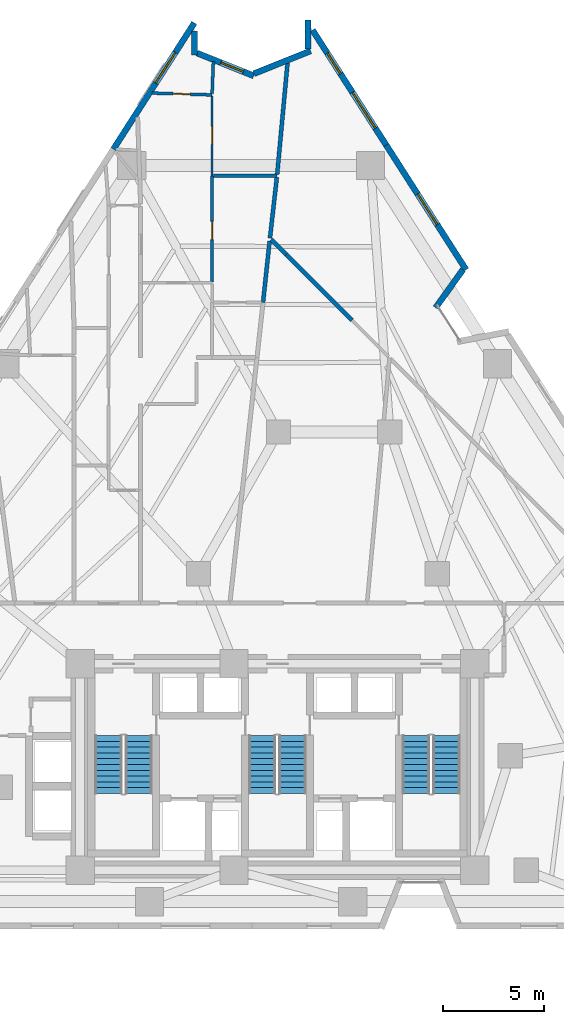
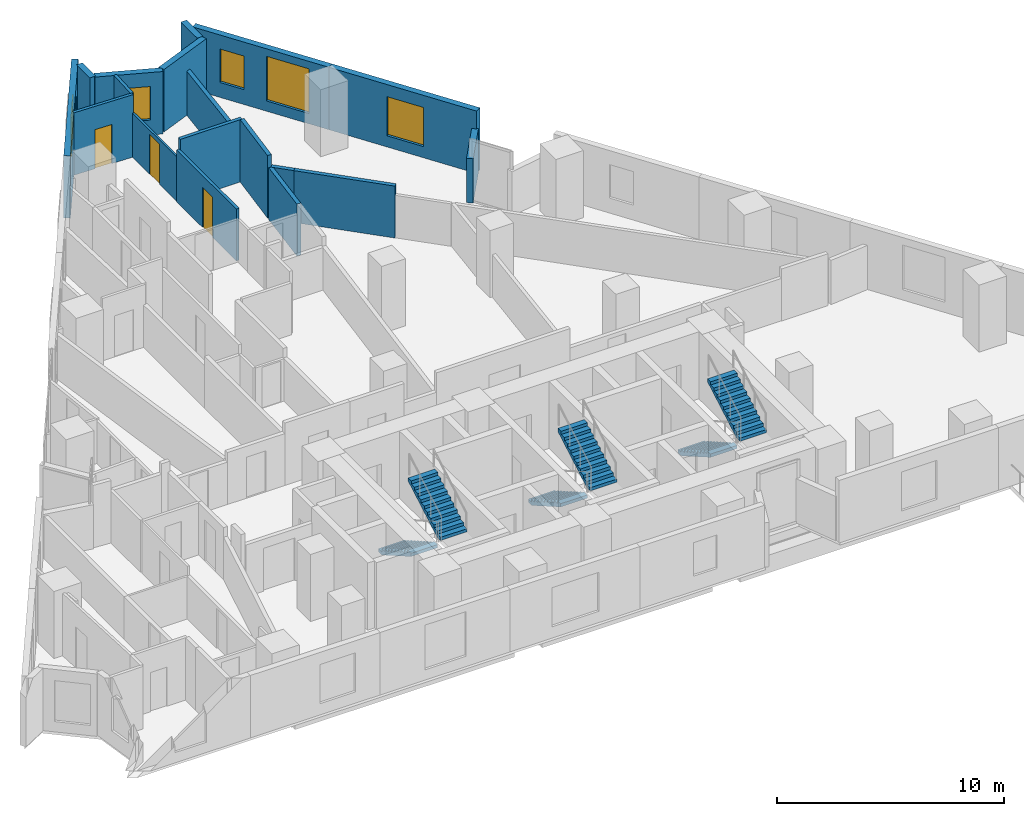
# One storey, part 10 of 13: 18 walls, 6 stair flights, 5 windows, 3 doors, 8 openings, 3 elements without a shape of their own.
"""IFC4 building model written with IfcOpenShell, lengths in metres."""

from ifc_helpers import new_model, si_unit, direction, frame, frame_2d, origin, place, context, subcontext, project, spatial, polyline, rectangle, outline, extrude, material, layer, layer_set, type_object, element, fill, aggregate, save


model = new_model("IFC4")

# Units and contexts
model_context = context("Model", 3, precision=1e-05, world=origin(), true_north=direction((0.0, 1.0)))
body_context = subcontext(model_context, "Body", "Model", "MODEL_VIEW")
ifc_project = project(units=[si_unit("LENGTHUNIT", "METRE"), si_unit("AREAUNIT", "SQUARE_METRE"), si_unit("VOLUMEUNIT", "CUBIC_METRE"), si_unit("PLANEANGLEUNIT", "RADIAN"), si_unit("MASSUNIT", "GRAM", prefix="KILO")], contexts=[model_context])

# Site, building, storey
site_placement = place(None, origin())
site = spatial("IfcSite", under=ifc_project, at=site_placement, CompositionType="ELEMENT")
building_placement = place(site_placement, origin())
building = spatial("IfcBuilding", under=site, at=building_placement, Name="Almagre Mirador Tower", CompositionType="ELEMENT")
storey_placement = place(building_placement, frame((0.0, 0.0, 42.60009765625)))
storey = spatial("IfcBuildingStorey", under=building, at=storey_placement, Name="L09", CompositionType="ELEMENT", Elevation=42.60009765625)

# Wall, opening, window
ifc_material_1 = material(Name="Precast concrete C50/60", Category="concrete")
ifc_layer_1 = layer(ifc_material_1, 0.300048828125)
ifc_layer_set_1 = layer_set([ifc_layer_1], Name="Precast concrete C50/60")
wall_type_1 = type_object("IfcWallType", Name="WAL-EXT-300", PredefinedType="SOLIDWALL", material=ifc_layer_set_1)
wall_1_placement = place(storey_placement, frame((29.1953125, 40.181640625, 0.0), z_axis=(0.0, 0.0, 1.0), x_axis=(0.539520042018, 0.841972757434, 0.0)))
wall_1 = element("IfcWall", 1, at=wall_1_placement, inside=storey, type_object=wall_type_1, Name="L09 expressed almagre precast frame wall 05", PredefinedType="SOLIDWALL", context=body_context, shape_type="SweptSolid", body=[
    extrude(rectangle(XDim=7.41162109375, YDim=0.300048828125, at=frame_2d((3.705810546875, 0.0))), origin(), (0.0, 0.0, 1.0), 3.349853515625),
])
opening_1_placement = place(wall_1_placement, frame((3.875, 0.0, 0.60009765625)))
opening_1 = element("IfcOpeningElement", 2, at=opening_1_placement, cuts=wall_1, Name="Opening WN-01", PredefinedType="OPENING", context=body_context, shape_type="SweptSolid", body=[
    extrude(rectangle(XDim=1.800048828125, YDim=2.10009765625, at=frame_2d((0.89990234375, 1.050048828125))), frame((0.0, 0.159902, 0.0), z_axis=(0.0, -1.0, 0.0), x_axis=(1.0, 0.0, 0.0)), (0.0, 0.0, 1.0), 0.320049),
])
ifc_material_2 = material(Name="Dark solar-control laminated hurricane glass", Category="glass")
window_type_1 = type_object("IfcWindowType", Name="WIN-1800X2100", PartitioningType="DOUBLE_PANEL_VERTICAL", PredefinedType="WINDOW", material=ifc_material_2)
window_1_placement = place(opening_1_placement, origin())
window_1 = element("IfcWindow", 3, at=window_1_placement, inside=storey, type_object=window_type_1, Name="L09 recessed hurricane window L09-UP-HB", OverallHeight=2.10009765625, OverallWidth=1.800048828125, PartitioningType="SINGLE_PANEL", PredefinedType="WINDOW", context=body_context, shape_type="SweptSolid", body=[
    extrude(rectangle(XDim=1.800048828125, YDim=2.10009765625, at=frame_2d((0.89990234375, 1.050048828125))), frame((0.0, 0.030029296875, 0.0), z_axis=(0.0, -1.0, 0.0), x_axis=(1.0, 0.0, 0.0)), (0.0, 0.0, 1.0), 0.06005859375),
])
fill(opening_1, window_1)

# Wall
wall_2_placement = place(storey_placement, frame((33.194091796875, 46.011962890625, 0.0), z_axis=(0.0, 0.0, 1.0), x_axis=(0.0, -1.0, 0.0)))
element("IfcWall", 4, at=wall_2_placement, inside=storey, type_object=wall_type_1, Name="L09 expressed almagre precast frame wall 06", PredefinedType="SOLIDWALL", context=body_context, shape_type="SweptSolid", body=[
    extrude(rectangle(XDim=1.169921875, YDim=0.300048828125, at=frame_2d((0.5849609375, 0.0))), origin(), (0.0, 0.0, 1.0), 3.349853515625),
])

# Wall, opening, window
wall_3_placement = place(storey_placement, frame((33.323974609375, 44.9296875, 0.0), z_axis=(0.0, 0.0, 1.0), x_axis=(0.928091921944, -0.372351157407, 0.0)))
wall_3 = element("IfcWall", 5, at=wall_3_placement, inside=storey, type_object=wall_type_1, Name="L09 expressed almagre precast frame wall 07", PredefinedType="SOLIDWALL", context=body_context, shape_type="SweptSolid", body=[
    extrude(rectangle(XDim=3.023193359375, YDim=0.300048828125, at=frame_2d((1.51171875, 0.0))), origin(), (0.0, 0.0, 1.0), 3.349853515625),
])
opening_2_placement = place(wall_3_placement, frame((1.27001953125, 0.0, 0.800048828125)))
opening_2 = element("IfcOpeningElement", 6, at=opening_2_placement, cuts=wall_3, Name="Opening WN-04", PredefinedType="OPENING", context=body_context, shape_type="SweptSolid", body=[
    extrude(rectangle(XDim=1.199951171875, YDim=1.800048828125, at=frame_2d((0.60009765625, 0.89990234375))), frame((0.0, 0.159902, 0.0), z_axis=(0.0, -1.0, 0.0), x_axis=(1.0, 0.0, 0.0)), (0.0, 0.0, 1.0), 0.320049),
])
ifc_material_3 = material(Name="Dark solar-control laminated hurricane glass", Category="glass")
window_type_2 = type_object("IfcWindowType", Name="WIN-1200X1800", PartitioningType="SINGLE_PANEL", PredefinedType="WINDOW", material=ifc_material_3)
window_2_placement = place(opening_2_placement, origin())
window_2 = element("IfcWindow", 7, at=window_2_placement, inside=storey, type_object=window_type_2, Name="L09 recessed hurricane window L09-UP-B2", OverallHeight=1.800048828125, OverallWidth=1.199951171875, PartitioningType="SINGLE_PANEL", PredefinedType="WINDOW", context=body_context, shape_type="SweptSolid", body=[
    extrude(rectangle(XDim=1.199951171875, YDim=1.800048828125, at=frame_2d((0.60009765625, 0.89990234375))), frame((0.0, 0.030029296875, 0.0), z_axis=(0.0, -1.0, 0.0), x_axis=(1.0, 0.0, 0.0)), (0.0, 0.0, 1.0), 0.06005859375),
])
fill(opening_2, window_2)

# Walls
wall_4_placement = place(storey_placement, frame((36.13916015625, 43.911865234375, 0.0), z_axis=(0.0, 0.0, 1.0), x_axis=(0.928057043086, 0.372438081804, 0.0)))
element("IfcWall", 8, at=wall_4_placement, inside=storey, type_object=wall_type_1, Name="L09 expressed almagre precast frame wall 08", PredefinedType="SOLIDWALL", context=body_context, shape_type="SweptSolid", body=[
    extrude(rectangle(XDim=3.013427734375, YDim=0.300048828125, at=frame_2d((1.5068359375, 0.0))), origin(), (0.0, 0.0, 1.0), 3.349853515625),
])
wall_5_placement = place(storey_placement, frame((38.805908203125, 45.1220703125, 0.0), z_axis=(0.0, 0.0, 1.0), x_axis=(0.0, 1.0, 0.0)))
element("IfcWall", 9, at=wall_5_placement, inside=storey, type_object=wall_type_1, Name="L09 expressed almagre precast frame wall 09", PredefinedType="SOLIDWALL", context=body_context, shape_type="SweptSolid", body=[
    extrude(rectangle(XDim=1.43994140625, YDim=0.300048828125, at=frame_2d((0.719970703125, 0.0))), origin(), (0.0, 0.0, 1.0), 3.349853515625),
])

# Wall, openings, windows
wall_6_placement = place(storey_placement, frame((39.035400390625, 46.064208984375, 0.0), z_axis=(0.0, 0.0, 1.0), x_axis=(0.539535968549, -0.841962551805, 0.0)))
wall_6 = element("IfcWall", 10, at=wall_6_placement, inside=storey, type_object=wall_type_1, Name="L09 expressed almagre precast frame wall 10", PredefinedType="SOLIDWALL", context=body_context, shape_type="SweptSolid", body=[
    extrude(rectangle(XDim=6.75048828125, YDim=0.300048828125, at=frame_2d((3.375244140625, 0.0))), origin(), (0.0, 0.0, 1.0), 3.349853515625),
])
opening_3_placement = place(wall_6_placement, frame((3.659912109375, 0.0, 0.550048828125)))
opening_3 = element("IfcOpeningElement", 11, at=opening_3_placement, cuts=wall_6, Name="Opening WN-05", PredefinedType="OPENING", context=body_context, shape_type="SweptSolid", body=[
    extrude(rectangle(XDim=2.10009765625, YDim=2.39990234375, at=frame_2d((1.050048828125, 1.199951171875))), frame((0.0, 0.159902, 0.0), z_axis=(0.0, -1.0, 0.0), x_axis=(1.0, 0.0, 0.0)), (0.0, 0.0, 1.0), 0.320049),
])
opening_4_placement = place(wall_6_placement, frame((1.360107421875, 0.0, 0.800048828125)))
opening_4 = element("IfcOpeningElement", 12, at=opening_4_placement, cuts=wall_6, Name="Opening WN-04", PredefinedType="OPENING", context=body_context, shape_type="SweptSolid", body=[
    extrude(rectangle(XDim=1.199951171875, YDim=1.800048828125, at=frame_2d((0.60009765625, 0.89990234375))), frame((0.0, 0.159902, 0.0), z_axis=(0.0, -1.0, 0.0), x_axis=(1.0, 0.0, 0.0)), (0.0, 0.0, 1.0), 0.320049),
])
window_3_placement = place(opening_4_placement, origin())
window_3 = element("IfcWindow", 13, at=window_3_placement, inside=storey, type_object=window_type_2, Name="L09 recessed hurricane window L09-UA-HB", OverallHeight=1.800048828125, OverallWidth=1.199951171875, PartitioningType="SINGLE_PANEL", PredefinedType="WINDOW", context=body_context, shape_type="SweptSolid", body=[
    extrude(rectangle(XDim=1.199951171875, YDim=1.800048828125, at=frame_2d((0.60009765625, 0.89990234375))), frame((0.0, 0.030029296875, 0.0), z_axis=(0.0, -1.0, 0.0), x_axis=(1.0, 0.0, 0.0)), (0.0, 0.0, 1.0), 0.06005859375),
])
fill(opening_4, window_3)
ifc_material_4 = material(Name="Dark solar-control laminated hurricane glass", Category="glass")
window_type_3 = type_object("IfcWindowType", Name="WIN-2100X2400", PartitioningType="DOUBLE_PANEL_VERTICAL", PredefinedType="WINDOW", material=ifc_material_4)
window_4_placement = place(opening_3_placement, origin())
window_4 = element("IfcWindow", 14, at=window_4_placement, inside=storey, type_object=window_type_3, Name="L09 recessed hurricane window L09-UA-LV", OverallHeight=2.39990234375, OverallWidth=2.10009765625, PartitioningType="SINGLE_PANEL", PredefinedType="WINDOW", context=body_context, shape_type="SweptSolid", body=[
    extrude(rectangle(XDim=2.10009765625, YDim=2.39990234375, at=frame_2d((1.050048828125, 1.199951171875))), frame((0.0, 0.030029296875, 0.0), z_axis=(0.0, -1.0, 0.0), x_axis=(1.0, 0.0, 0.0)), (0.0, 0.0, 1.0), 0.06005859375),
])
fill(opening_3, window_4)

# Wall, opening, window
wall_7_placement = place(storey_placement, frame((42.677490234375, 40.380615234375, 0.0), z_axis=(0.0, 0.0, 1.0), x_axis=(0.53953753152, -0.841961550239, 0.0)))
wall_7 = element("IfcWall", 15, at=wall_7_placement, inside=storey, type_object=wall_type_1, Name="L09 expressed almagre precast frame wall 11", PredefinedType="SOLIDWALL", context=body_context, shape_type="SweptSolid", body=[
    extrude(rectangle(XDim=7.315673828125, YDim=0.300048828125, at=frame_2d((3.65771484375, 0.0))), origin(), (0.0, 0.0, 1.0), 3.349853515625),
])
opening_5_placement = place(wall_7_placement, frame((2.875, 0.0, 0.60009765625)))
opening_5 = element("IfcOpeningElement", 16, at=opening_5_placement, cuts=wall_7, Name="Opening WN-01", PredefinedType="OPENING", context=body_context, shape_type="SweptSolid", body=[
    extrude(rectangle(XDim=1.800048828125, YDim=2.10009765625, at=frame_2d((0.89990234375, 1.050048828125))), frame((0.0, 0.159902, 0.0), z_axis=(0.0, -1.0, 0.0), x_axis=(1.0, 0.0, 0.0)), (0.0, 0.0, 1.0), 0.320049),
])
window_5_placement = place(opening_5_placement, origin())
window_5 = element("IfcWindow", 17, at=window_5_placement, inside=storey, type_object=window_type_1, Name="L09 recessed hurricane window L09-UA-MB", OverallHeight=2.10009765625, OverallWidth=1.800048828125, PartitioningType="SINGLE_PANEL", PredefinedType="WINDOW", context=body_context, shape_type="SweptSolid", body=[
    extrude(rectangle(XDim=1.800048828125, YDim=2.10009765625, at=frame_2d((0.89990234375, 1.050048828125))), frame((0.0, 0.030029296875, 0.0), z_axis=(0.0, -1.0, 0.0), x_axis=(1.0, 0.0, 0.0)), (0.0, 0.0, 1.0), 0.06005859375),
])
fill(opening_5, window_5)

# Wall
wall_8_placement = place(storey_placement, frame((46.47021484375, 34.229248046875, 0.0), z_axis=(0.0, 0.0, 1.0), x_axis=(-0.58296983002, -0.812493801384, 0.0)))
element("IfcWall", 18, at=wall_8_placement, inside=storey, type_object=wall_type_1, Name="L09 expressed almagre precast frame wall 12", PredefinedType="SOLIDWALL", context=body_context, shape_type="SweptSolid", body=[
    extrude(rectangle(XDim=2.31884765625, YDim=0.300048828125, at=frame_2d((1.159423828125, 0.0))), origin(), (0.0, 0.0, 1.0), 2.375),
])

# Wall, opening, door
ifc_material_5 = material(Name="Gypsum acoustic stud partition", Category="other")
ifc_layer_2 = layer(ifc_material_5, 0.10009765625)
ifc_layer_set_2 = layer_set([ifc_layer_2], Name="Gypsum acoustic stud partition")
wall_type_2 = type_object("IfcWallType", Name="WAL-PRT-100-CLS", PredefinedType="PARTITIONING", material=ifc_layer_set_2)
wall_9_placement = place(storey_placement, frame((34.070068359375, 38.860107421875, 0.0), z_axis=(0.0, 0.0, 1.0), x_axis=(0.0, 1.0, 0.0)))
wall_9 = element("IfcWall", 19, at=wall_9_placement, inside=storey, type_object=wall_type_2, Name="L09 interior partition 095", PredefinedType="PARTITIONING", context=body_context, shape_type="SweptSolid", body=[
    extrude(rectangle(XDim=3.93994140625, YDim=0.10009765625, at=frame_2d((1.969970703125, 0.0))), origin(), (0.0, 0.0, 1.0), 2.369873046875),
])
opening_6_placement = place(wall_9_placement, frame((1.550048828125, 0.0, 0.0)))
opening_6 = element("IfcOpeningElement", 20, at=opening_6_placement, cuts=wall_9, Name="Opening UD-02", PredefinedType="OPENING", context=body_context, shape_type="SweptSolid", body=[
    extrude(rectangle(XDim=0.89990234375, YDim=2.14990234375, at=frame_2d((0.449951171875, 1.074951171875))), frame((0.0, 0.060049, 0.0), z_axis=(0.0, -1.0, 0.0), x_axis=(1.0, 0.0, 0.0)), (0.0, 0.0, 1.0), 0.120098),
])
ifc_material_6 = material(Name="Solid American walnut timber", Category="wood")
door_type_1 = type_object("IfcDoorType", Name="DOR-UNR-900X2150", OperationType="NOTDEFINED", PredefinedType="DOOR", material=ifc_material_6)
door_1_placement = place(opening_6_placement, origin())
door_1 = element("IfcDoor", 21, at=door_1_placement, inside=storey, type_object=door_type_1, Name="DR-0302 L09 interior door L09-UP-LV to L09-UP-B2", OperationType="SINGLE_SWING_RIGHT", OverallHeight=2.14990234375, OverallWidth=0.89990234375, PredefinedType="DOOR", context=body_context, shape_type="SweptSolid", body=[
    extrude(rectangle(XDim=0.89990234375, YDim=2.14990234375, at=frame_2d((0.449951171875, 1.074951171875))), frame((0.0, 0.02490234375, 0.0), z_axis=(0.0, -1.0, 0.0), x_axis=(1.0, 0.0, 0.0)), (0.0, 0.0, 1.0), 0.050048828125),
])
fill(opening_6, door_1)

ifc_material_7 = material(Name="Gypsum acoustic stud partition", Category="other")
ifc_layer_3 = layer(ifc_material_7, 0.14990234375)
ifc_layer_set_3 = layer_set([ifc_layer_3], Name="Gypsum acoustic stud partition")
wall_type_3 = type_object("IfcWallType", Name="WAL-PRT-150-STD", PredefinedType="PARTITIONING", material=ifc_layer_set_3)
wall_10_placement = place(storey_placement, frame((34.070068359375, 42.860107421875, 0.0), z_axis=(0.0, 0.0, 1.0), x_axis=(-0.999529610614, 0.030668509992, 0.0)))
wall_10 = element("IfcWall", 22, at=wall_10_placement, inside=storey, type_object=wall_type_3, Name="L09 interior partition 092", PredefinedType="PARTITIONING", context=body_context, shape_type="SweptSolid", body=[
    extrude(rectangle(XDim=2.96142578125, YDim=0.14990234375, at=frame_2d((1.480712890625, 0.0))), origin(), (0.0, 0.0, 1.0), 3.349853515625),
])
opening_7_placement = place(wall_10_placement, frame((1.07177734375, 0.0, 0.0)))
opening_7 = element("IfcOpeningElement", 23, at=opening_7_placement, cuts=wall_10, Name="Opening UD-04", PredefinedType="OPENING", context=body_context, shape_type="SweptSolid", body=[
    extrude(rectangle(XDim=0.85009765625, YDim=2.10009765625, at=frame_2d((0.425048828125, 1.050048828125))), frame((0.0, 0.084951, 0.0), z_axis=(0.0, -1.0, 0.0), x_axis=(1.0, 0.0, 0.0)), (0.0, 0.0, 1.0), 0.169902),
])
ifc_material_8 = material(Name="Moisture-resistant oak timber", Category="wood")
door_type_2 = type_object("IfcDoorType", Name="DOR-UNR-850X2100", OperationType="NOTDEFINED", PredefinedType="DOOR", material=ifc_material_8)
door_2_placement = place(opening_7_placement, origin())
door_2 = element("IfcDoor", 24, at=door_2_placement, inside=storey, type_object=door_type_2, Name="DR-0300 L09 interior door L09-UP-LV to L09-UP-HB", OperationType="SINGLE_SWING_RIGHT", OverallHeight=2.10009765625, OverallWidth=0.85009765625, PredefinedType="DOOR", context=body_context, shape_type="SweptSolid", body=[
    extrude(rectangle(XDim=0.85009765625, YDim=2.10009765625, at=frame_2d((0.425048828125, 1.050048828125))), frame((0.0, 0.02490234375, 0.0), z_axis=(0.0, -1.0, 0.0), x_axis=(1.0, 0.0, 0.0)), (0.0, 0.0, 1.0), 0.050048828125),
])
fill(opening_7, door_2)

wall_11_placement = place(storey_placement, frame((34.070068359375, 33.617431640625, 0.0), z_axis=(0.0, 0.0, 1.0), x_axis=(0.0, 1.0, 0.0)))
wall_11 = element("IfcWall", 25, at=wall_11_placement, inside=storey, type_object=wall_type_3, Name="L09 interior partition 094", PredefinedType="PARTITIONING", context=body_context, shape_type="SweptSolid", body=[
    extrude(rectangle(XDim=5.24267578125, YDim=0.14990234375, at=frame_2d((2.621337890625, 0.0))), origin(), (0.0, 0.0, 1.0), 2.786865234375),
])
opening_8_placement = place(wall_11_placement, frame((2.0888671875, 0.0, 0.0)))
opening_8 = element("IfcOpeningElement", 26, at=opening_8_placement, cuts=wall_11, Name="Opening UD-02", PredefinedType="OPENING", context=body_context, shape_type="SweptSolid", body=[
    extrude(rectangle(XDim=0.89990234375, YDim=2.14990234375, at=frame_2d((0.449951171875, 1.074951171875))), frame((0.0, 0.084951, 0.0), z_axis=(0.0, -1.0, 0.0), x_axis=(1.0, 0.0, 0.0)), (0.0, 0.0, 1.0), 0.169902),
])
door_3_placement = place(opening_8_placement, origin())
door_3 = element("IfcDoor", 27, at=door_3_placement, inside=storey, type_object=door_type_1, Name="DR-0301 L09 interior door L09-UP-LV to L09-UP-MB", OperationType="SINGLE_SWING_LEFT", OverallHeight=2.14990234375, OverallWidth=0.89990234375, PredefinedType="DOOR", context=body_context, shape_type="SweptSolid", body=[
    extrude(rectangle(XDim=0.89990234375, YDim=2.14990234375, at=frame_2d((0.449951171875, 1.074951171875))), frame((0.0, 0.02490234375, 0.0), z_axis=(0.0, -1.0, 0.0), x_axis=(1.0, 0.0, 0.0)), (0.0, 0.0, 1.0), 0.050048828125),
])
fill(opening_8, door_3)

# Walls
wall_12_placement = place(storey_placement, frame((34.072021484375, 42.919921875, 0.0), z_axis=(0.0, 0.0, 1.0), x_axis=(0.039065124417, 0.999236666688, 0.0)))
element("IfcWall", 28, at=wall_12_placement, inside=storey, type_object=wall_type_3, Name="L09 interior partition 096", PredefinedType="PARTITIONING", context=body_context, shape_type="SweptSolid", body=[
    extrude(rectangle(XDim=1.58740234375, YDim=0.14990234375, at=frame_2d((0.793701171875, 0.0))), origin(), (0.0, 0.0, 1.0), 3.349853515625),
])
ifc_material_9 = material(Name="Gypsum acoustic stud partition", Category="other")
ifc_layer_4 = layer(ifc_material_9, 0.175048828125)
ifc_layer_set_4 = layer_set([ifc_layer_4], Name="Gypsum acoustic stud partition")
wall_type_4 = type_object("IfcWallType", Name="WAL-PRT-175-AC", PredefinedType="PARTITIONING", material=ifc_layer_set_4)
wall_13_placement = place(storey_placement, frame((37.280029296875, 38.860107421875, 0.0), z_axis=(0.0, 0.0, 1.0), x_axis=(-1.0, 0.0, 0.0)))
element("IfcWall", 29, at=wall_13_placement, inside=storey, type_object=wall_type_4, Name="L09 interior partition 099", PredefinedType="PARTITIONING", context=body_context, shape_type="SweptSolid", body=[
    extrude(rectangle(XDim=3.150146484375, YDim=0.175048828125, at=frame_2d((1.5751953125, 0.0))), origin(), (0.0, 0.0, 1.0), 3.349853515625),
])
ifc_material_10 = material(Name="Gypsum acoustic stud partition", Category="other")
ifc_layer_5 = layer(ifc_material_10, 0.199951171875)
ifc_layer_set_5 = layer_set([ifc_layer_5], Name="Gypsum acoustic stud partition")
wall_type_5 = type_object("IfcWallType", Name="WAL-PRT-200-EI60", PredefinedType="PARTITIONING", material=ifc_layer_set_5)
wall_14_placement = place(storey_placement, frame((36.9150390625, 35.640869140625, 0.0), z_axis=(0.0, 0.0, 1.0), x_axis=(-0.106606653323, -0.994301272989, 0.0)))
element("IfcWall", 30, at=wall_14_placement, inside=storey, type_object=wall_type_5, Name="L09 interior partition 074", PredefinedType="PARTITIONING", context=body_context, shape_type="SweptSolid", body=[
    extrude(rectangle(XDim=3.048095703125, YDim=0.199951171875, at=frame_2d((1.52392578125, 0.0))), origin(), (0.0, 0.0, 1.0), 2.786865234375),
])
wall_15_placement = place(storey_placement, frame((37.72998046875, 34.97998046875, 0.0), z_axis=(0.0, 0.0, 1.0), x_axis=(-0.707106781187, 0.707106781187, 0.0)))
element("IfcWall", 31, at=wall_15_placement, inside=storey, type_object=wall_type_5, Name="L09 interior partition 076", PredefinedType="PARTITIONING", context=body_context, shape_type="SweptSolid", body=[
    extrude(rectangle(XDim=1.04638671875, YDim=0.199951171875, at=frame_2d((0.523193359375, 0.0))), origin(), (0.0, 0.0, 1.0), 2.786865234375),
])
wall_16_placement = place(storey_placement, frame((40.989990234375, 31.719970703125, 0.0), z_axis=(0.0, 0.0, 1.0), x_axis=(-0.707106781187, 0.707106781187, 0.0)))
element("IfcWall", 32, at=wall_16_placement, inside=storey, type_object=wall_type_5, Name="L09 interior partition 077", PredefinedType="PARTITIONING", context=body_context, shape_type="SweptSolid", body=[
    extrude(rectangle(XDim=4.6103515625, YDim=0.199951171875, at=frame_2d((2.30517578125, 0.0))), origin(), (0.0, 0.0, 1.0), 2.786865234375),
])
wall_17_placement = place(storey_placement, frame((36.929931640625, 35.780029296875, 0.0), z_axis=(0.0, 0.0, 1.0), x_axis=(0.112900640855, 0.993606282838, 0.0)))
element("IfcWall", 33, at=wall_17_placement, inside=storey, type_object=wall_type_5, Name="L09 interior partition 101", PredefinedType="PARTITIONING", context=body_context, shape_type="SweptSolid", body=[
    extrude(rectangle(XDim=3.02734375, YDim=0.199951171875, at=frame_2d((1.513671875, 0.0))), origin(), (0.0, 0.0, 1.0), 3.349853515625),
])
wall_18_placement = place(storey_placement, frame((37.801025390625, 44.451904296875, 0.0), z_axis=(0.0, 0.0, 1.0), x_axis=(-0.092703584654, -0.995693750805, 0.0)))
element("IfcWall", 34, at=wall_18_placement, inside=storey, type_object=wall_type_5, Name="L09 interior partition 119", PredefinedType="PARTITIONING", context=body_context, shape_type="SweptSolid", body=[
    extrude(rectangle(XDim=5.543701171875, YDim=0.199951171875, at=frame_2d((2.77197265625, 0.0))), origin(), (0.0, 0.0, 1.0), 2.369873046875),
])

# Stair, stair flights
ifc_material_11 = material(Name="Concrete C45/55", Category="concrete")
stair_type = type_object("IfcStairType", Name="STR-DL-3600", PredefinedType="HALF_TURN_STAIR", material=ifc_material_11)
stair_1_placement = place(storey_placement, origin())
stair_1 = element("IfcStair", 35, at=stair_1_placement, inside=storey, type_object=stair_type, Name="L09 Protected exit stair ST-1", PredefinedType="HALF_TURN_STAIR")
ifc_material_12 = material(Name="Concrete C45/55", Category="concrete")
stair_flight_type = type_object("IfcStairFlightType", Name="FLT-DL-3600", PredefinedType="STRAIGHT", material=ifc_material_12)
stair_flight_1_placement = place(storey_placement, frame((28.949951171875, 11.199951171875, 0.0), z_axis=(0.0, 0.0, 1.0), x_axis=(0.0, -1.0, 0.0)))
stair_flight_1 = element("IfcStairFlight", 36, at=stair_flight_1_placement, type_object=stair_flight_type, Name="ST-1 flight 1", NumberOfRisers=11, NumberOfTreads=10, PredefinedType="STRAIGHT", RiserHeight=0.163636364, TreadLength=0.285, context=body_context, shape_type="SweptSolid", body=[
    extrude(outline(polyline([(0.0, 0.0), (0.0, 0.16357421875), (0.284912109375, 0.16357421875), (0.284912109375, 0.327392578125), (0.570068359375, 0.327392578125), (0.570068359375, 0.490966796875), (0.85498046875, 0.490966796875), (0.85498046875, 0.654541015625), (1.139892578125, 0.654541015625), (1.139892578125, 0.818115234375), (1.425048828125, 0.818115234375), (1.425048828125, 0.98193359375), (1.7099609375, 0.98193359375), (1.7099609375, 1.1455078125), (1.9951171875, 1.1455078125), (1.9951171875, 1.30908203125), (2.280029296875, 1.30908203125), (2.280029296875, 1.47265625), (2.56494140625, 1.47265625), (2.56494140625, 1.636474609375), (2.85009765625, 1.636474609375), (2.85009765625, 1.800048828125), (2.85009765625, 1.463623046875), (0.301025390625, 0.0), (0.0, 0.0)])), frame((0.0, 0.675048828125, 0.0), z_axis=(0.0, -1.0, 0.0), x_axis=(1.0, 0.0, 0.0)), (0.0, 0.0, 1.0), 1.35009765625),
])
stair_flight_2_placement = place(storey_placement, frame((30.449951171875, 8.35009765625, 1.7998046875), z_axis=(0.0, 0.0, 1.0), x_axis=(0.0, 1.0, 0.0)))
stair_flight_2 = element("IfcStairFlight", 37, at=stair_flight_2_placement, type_object=stair_flight_type, Name="ST-1 flight 2", NumberOfRisers=11, NumberOfTreads=10, PredefinedType="STRAIGHT", RiserHeight=0.163636364, TreadLength=0.285, context=body_context, shape_type="SweptSolid", body=[
    extrude(outline(polyline([(0.0, 0.0), (0.0, 0.16357421875), (0.284912109375, 0.16357421875), (0.284912109375, 0.327392578125), (0.570068359375, 0.327392578125), (0.570068359375, 0.490966796875), (0.85498046875, 0.490966796875), (0.85498046875, 0.654541015625), (1.139892578125, 0.654541015625), (1.139892578125, 0.818115234375), (1.425048828125, 0.818115234375), (1.425048828125, 0.98193359375), (1.7099609375, 0.98193359375), (1.7099609375, 1.1455078125), (1.9951171875, 1.1455078125), (1.9951171875, 1.30908203125), (2.280029296875, 1.30908203125), (2.280029296875, 1.47265625), (2.56494140625, 1.47265625), (2.56494140625, 1.636474609375), (2.85009765625, 1.636474609375), (2.85009765625, 1.800048828125), (2.85009765625, 1.463623046875), (0.301025390625, 0.0), (0.0, 0.0)])), frame((0.0, 0.675048828125, 0.0), z_axis=(0.0, -1.0, 0.0), x_axis=(1.0, 0.0, 0.0)), (0.0, 0.0, 1.0), 1.35009765625),
])
aggregate(stair_1, [stair_flight_1, stair_flight_2])

stair_2_placement = place(storey_placement, origin())
stair_2 = element("IfcStair", 38, at=stair_2_placement, inside=storey, type_object=stair_type, Name="L09 Protected exit stair ST-2", PredefinedType="HALF_TURN_STAIR")
stair_flight_3_placement = place(storey_placement, frame((36.550048828125, 11.199951171875, 0.0), z_axis=(0.0, 0.0, 1.0), x_axis=(0.0, -1.0, 0.0)))
stair_flight_3 = element("IfcStairFlight", 39, at=stair_flight_3_placement, type_object=stair_flight_type, Name="ST-2 flight 1", NumberOfRisers=11, NumberOfTreads=10, PredefinedType="STRAIGHT", RiserHeight=0.163636364, TreadLength=0.285, context=body_context, shape_type="SweptSolid", body=[
    extrude(outline(polyline([(0.0, 0.0), (0.0, 0.16357421875), (0.284912109375, 0.16357421875), (0.284912109375, 0.327392578125), (0.570068359375, 0.327392578125), (0.570068359375, 0.490966796875), (0.85498046875, 0.490966796875), (0.85498046875, 0.654541015625), (1.139892578125, 0.654541015625), (1.139892578125, 0.818115234375), (1.425048828125, 0.818115234375), (1.425048828125, 0.98193359375), (1.7099609375, 0.98193359375), (1.7099609375, 1.1455078125), (1.9951171875, 1.1455078125), (1.9951171875, 1.30908203125), (2.280029296875, 1.30908203125), (2.280029296875, 1.47265625), (2.56494140625, 1.47265625), (2.56494140625, 1.636474609375), (2.85009765625, 1.636474609375), (2.85009765625, 1.800048828125), (2.85009765625, 1.463623046875), (0.301025390625, 0.0), (0.0, 0.0)])), frame((0.0, 0.675048828125, 0.0), z_axis=(0.0, -1.0, 0.0), x_axis=(1.0, 0.0, 0.0)), (0.0, 0.0, 1.0), 1.35009765625),
])
stair_flight_4_placement = place(storey_placement, frame((38.050048828125, 8.35009765625, 1.7998046875), z_axis=(0.0, 0.0, 1.0), x_axis=(0.0, 1.0, 0.0)))
stair_flight_4 = element("IfcStairFlight", 40, at=stair_flight_4_placement, type_object=stair_flight_type, Name="ST-2 flight 2", NumberOfRisers=11, NumberOfTreads=10, PredefinedType="STRAIGHT", RiserHeight=0.163636364, TreadLength=0.285, context=body_context, shape_type="SweptSolid", body=[
    extrude(outline(polyline([(0.0, 0.0), (0.0, 0.16357421875), (0.284912109375, 0.16357421875), (0.284912109375, 0.327392578125), (0.570068359375, 0.327392578125), (0.570068359375, 0.490966796875), (0.85498046875, 0.490966796875), (0.85498046875, 0.654541015625), (1.139892578125, 0.654541015625), (1.139892578125, 0.818115234375), (1.425048828125, 0.818115234375), (1.425048828125, 0.98193359375), (1.7099609375, 0.98193359375), (1.7099609375, 1.1455078125), (1.9951171875, 1.1455078125), (1.9951171875, 1.30908203125), (2.280029296875, 1.30908203125), (2.280029296875, 1.47265625), (2.56494140625, 1.47265625), (2.56494140625, 1.636474609375), (2.85009765625, 1.636474609375), (2.85009765625, 1.800048828125), (2.85009765625, 1.463623046875), (0.301025390625, 0.0), (0.0, 0.0)])), frame((0.0, 0.675048828125, 0.0), z_axis=(0.0, -1.0, 0.0), x_axis=(1.0, 0.0, 0.0)), (0.0, 0.0, 1.0), 1.35009765625),
])
aggregate(stair_2, [stair_flight_3, stair_flight_4])

stair_3_placement = place(storey_placement, origin())
stair_3 = element("IfcStair", 41, at=stair_3_placement, inside=storey, type_object=stair_type, Name="L09 Protected exit stair ST-3", PredefinedType="HALF_TURN_STAIR")
stair_flight_5_placement = place(storey_placement, frame((44.14990234375, 11.199951171875, 0.0), z_axis=(0.0, 0.0, 1.0), x_axis=(0.0, -1.0, 0.0)))
stair_flight_5 = element("IfcStairFlight", 42, at=stair_flight_5_placement, type_object=stair_flight_type, Name="ST-3 flight 1", NumberOfRisers=11, NumberOfTreads=10, PredefinedType="STRAIGHT", RiserHeight=0.163636364, TreadLength=0.285, context=body_context, shape_type="SweptSolid", body=[
    extrude(outline(polyline([(0.0, 0.0), (0.0, 0.16357421875), (0.284912109375, 0.16357421875), (0.284912109375, 0.327392578125), (0.570068359375, 0.327392578125), (0.570068359375, 0.490966796875), (0.85498046875, 0.490966796875), (0.85498046875, 0.654541015625), (1.139892578125, 0.654541015625), (1.139892578125, 0.818115234375), (1.425048828125, 0.818115234375), (1.425048828125, 0.98193359375), (1.7099609375, 0.98193359375), (1.7099609375, 1.1455078125), (1.9951171875, 1.1455078125), (1.9951171875, 1.30908203125), (2.280029296875, 1.30908203125), (2.280029296875, 1.47265625), (2.56494140625, 1.47265625), (2.56494140625, 1.636474609375), (2.85009765625, 1.636474609375), (2.85009765625, 1.800048828125), (2.85009765625, 1.463623046875), (0.301025390625, 0.0), (0.0, 0.0)])), frame((0.0, 0.675048828125, 0.0), z_axis=(0.0, -1.0, 0.0), x_axis=(1.0, 0.0, 0.0)), (0.0, 0.0, 1.0), 1.35009765625),
])
stair_flight_6_placement = place(storey_placement, frame((45.64990234375, 8.35009765625, 1.7998046875), z_axis=(0.0, 0.0, 1.0), x_axis=(0.0, 1.0, 0.0)))
stair_flight_6 = element("IfcStairFlight", 43, at=stair_flight_6_placement, type_object=stair_flight_type, Name="ST-3 flight 2", NumberOfRisers=11, NumberOfTreads=10, PredefinedType="STRAIGHT", RiserHeight=0.163636364, TreadLength=0.285, context=body_context, shape_type="SweptSolid", body=[
    extrude(outline(polyline([(0.0, 0.0), (0.0, 0.16357421875), (0.284912109375, 0.16357421875), (0.284912109375, 0.327392578125), (0.570068359375, 0.327392578125), (0.570068359375, 0.490966796875), (0.85498046875, 0.490966796875), (0.85498046875, 0.654541015625), (1.139892578125, 0.654541015625), (1.139892578125, 0.818115234375), (1.425048828125, 0.818115234375), (1.425048828125, 0.98193359375), (1.7099609375, 0.98193359375), (1.7099609375, 1.1455078125), (1.9951171875, 1.1455078125), (1.9951171875, 1.30908203125), (2.280029296875, 1.30908203125), (2.280029296875, 1.47265625), (2.56494140625, 1.47265625), (2.56494140625, 1.636474609375), (2.85009765625, 1.636474609375), (2.85009765625, 1.800048828125), (2.85009765625, 1.463623046875), (0.301025390625, 0.0), (0.0, 0.0)])), frame((0.0, 0.675048828125, 0.0), z_axis=(0.0, -1.0, 0.0), x_axis=(1.0, 0.0, 0.0)), (0.0, 0.0, 1.0), 1.35009765625),
])
aggregate(stair_3, [stair_flight_5, stair_flight_6])

save(model, "model.ifc")
